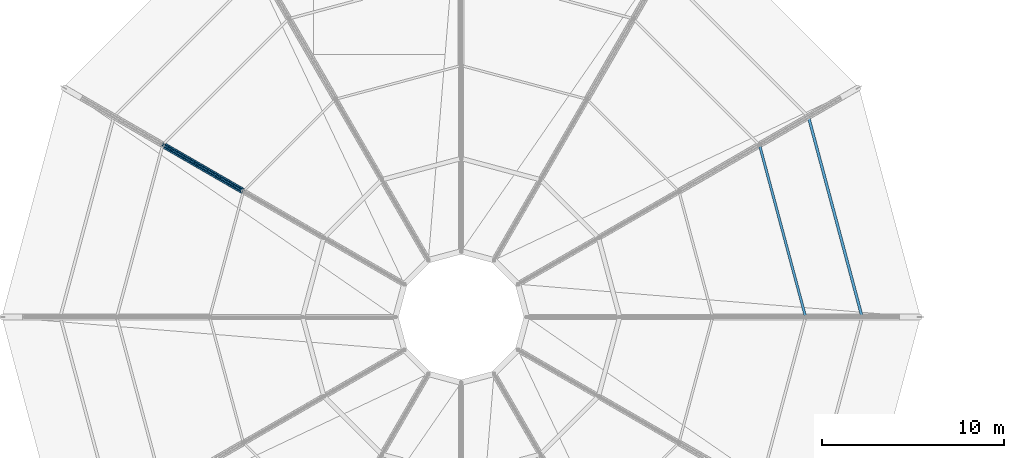
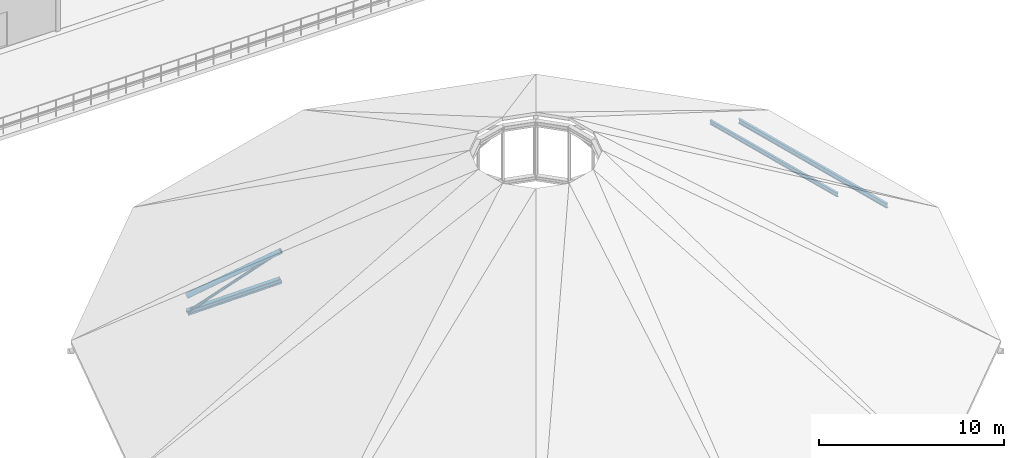
# One storey, part 22 of 58: 5 members.
"""IFC4 building model written with IfcOpenShell, lengths in metres."""

from ifc_helpers import new_model, si_unit, derived_unit, direction, frame, origin, origin_2d, place, context, subcontext, project, spatial, hollow_circle, i_section, extrude, material, material_profile, profile_set, type_object, element, save


model = new_model("IFC4")

# Units and contexts
model_context = context("Model", 3, precision=1e-05, world=origin(), true_north=direction((0.0, 1.0)))
body_context = subcontext(model_context, "Body", "Model", "MODEL_VIEW")
ifc_project = project(units=[si_unit("LENGTHUNIT", "METRE"), si_unit("AREAUNIT", "SQUARE_METRE"), si_unit("VOLUMEUNIT", "CUBIC_METRE"), si_unit("PLANEANGLEUNIT", "RADIAN"), si_unit("MASSUNIT", "GRAM", prefix="KILO"), derived_unit("THERMALTRANSMITTANCEUNIT", [(si_unit("POWERUNIT", "WATT"), 1), (si_unit("AREAUNIT", "SQUARE_METRE"), -1), (si_unit("THERMODYNAMICTEMPERATUREUNIT", "KELVIN"), -1)])], contexts=[model_context])

# Site, building, storey
site_placement = place(None, origin())
site = spatial("IfcSite", under=ifc_project, at=site_placement, CompositionType="ELEMENT")
building_placement = place(site_placement, origin())
building = spatial("IfcBuilding", under=site, at=building_placement, Name="Yasenodar Specialist Clinic", CompositionType="ELEMENT")
storey_placement = place(building_placement, frame((0.0, 0.0, 21.300048828125)))
storey = spatial("IfcBuildingStorey", under=building, at=storey_placement, Name="L05", CompositionType="ELEMENT", Elevation=21.300048828125)

# Members
ifc_material = material(Name="Steel S355", Category="steel")
ifc_material_profile_1 = material_profile(ifc_material, i_section(OverallWidth=0.135009765625, OverallDepth=0.27001953125, WebThickness=0.006591796875, FlangeThickness=0.01025390625, FilletRadius=0.014892578125, at=origin_2d()), Name="IPE 270")
ifc_profile_set_1 = profile_set([ifc_material_profile_1], Name="Steel S355")
member_type_1 = type_object("IfcMemberType", Name="PR-IPE270", PredefinedType="PURLIN", material=ifc_profile_set_1)
member_1_placement = place(storey_placement, frame((99.89990234375, 58.800048828125, 3.034912109375), z_axis=(-0.258807184805, 0.965929004168, 0.0), x_axis=(-0.965929004168, -0.258807184805, 0.0)))
element("IfcMember", 1, at=member_1_placement, inside=storey, type_object=member_type_1, Name="Drum Roof Concentric Purlin 2.01", PredefinedType="PURLIN", context=body_context, shape_type="SweptSolid", body=[
    extrude(i_section(OverallWidth=0.135009765625, OverallDepth=0.27001953125, WebThickness=0.006591796875, FlangeThickness=0.01025390625, FilletRadius=0.014892578125, at=origin_2d()), origin(), (0.0, 0.0, 1.0), 9.783203125),
])
ifc_material_profile_2 = material_profile(ifc_material, i_section(OverallWidth=0.14990234375, OverallDepth=0.300048828125, WebThickness=0.007080078125, FlangeThickness=0.0107421875, FilletRadius=0.014892578125, at=origin_2d()), Name="IPE 300")
ifc_profile_set_2 = profile_set([ifc_material_profile_2], Name="Steel S355")
member_type_2 = type_object("IfcMemberType", Name="PR-IPE300", PredefinedType="PURLIN", material=ifc_profile_set_2)
member_2_placement = place(storey_placement, frame((103.0, 58.800048828125, 1.2265625), z_axis=(-0.258824669437, 0.965924319236, 0.0), x_axis=(-0.965924319236, -0.258824669437, 0.0)))
element("IfcMember", 2, at=member_2_placement, inside=storey, type_object=member_type_2, Name="Drum Roof Concentric Purlin 1.01", PredefinedType="PURLIN", context=body_context, shape_type="SweptSolid", body=[
    extrude(i_section(OverallWidth=0.14990234375, OverallDepth=0.300048828125, WebThickness=0.007080078125, FlangeThickness=0.0107421875, FilletRadius=0.014892578125, at=origin_2d()), origin(), (0.0, 0.0, 1.0), 11.387939453125),
])
ifc_material_profile_3 = material_profile(ifc_material, hollow_circle(Radius=0.084228515625, WallThickness=0.008056640625, at=origin_2d()), Name="CHS 168.3x8")
ifc_profile_set_3 = profile_set([ifc_material_profile_3], Name="Steel S355")
member_type_3 = type_object("IfcMemberType", Name="TR-BRC-CHS168", PredefinedType="BRACE", material=ifc_profile_set_3)
member_3_placement = place(storey_placement, frame((64.632080078125, 68.25, 1.887451171875), z_axis=(0.677384124883, -0.391093758466, 0.623054106354), x_axis=(0.500005610874, 0.86602216432, 0.0)))
element("IfcMember", 3, at=member_3_placement, inside=storey, type_object=member_type_3, Name="Drum Roof Truss 06 Web Diagonal 2", PredefinedType="BRACE", context=body_context, shape_type="SweptSolid", body=[
    extrude(hollow_circle(Radius=0.084228515625, WallThickness=0.008056640625, at=origin_2d()), origin(), (0.0, 0.0, 1.0), 6.520263671875),
])
ifc_material_profile_4 = material_profile(ifc_material, hollow_circle(Radius=0.161865234375, WallThickness=0.01611328125, at=origin_2d()), Name="CHS 323.9x16")
ifc_profile_set_4 = profile_set([ifc_material_profile_4], Name="Steel S355")
member_type_4 = type_object("IfcMemberType", Name="TR-CHD-CHS324", PredefinedType="CHORD", material=ifc_profile_set_4)
member_4_placement = place(storey_placement, frame((64.632080078125, 68.25, 2.974853515625), z_axis=(0.748046944425, -0.431891566774, 0.50388038609), x_axis=(0.500005610874, 0.86602216432, 0.0)))
element("IfcMember", 4, at=member_4_placement, inside=storey, type_object=member_type_4, Name="Drum Roof Truss 06 Top Chord 2", PredefinedType="CHORD", context=body_context, shape_type="SweptSolid", body=[
    extrude(hollow_circle(Radius=0.161865234375, WallThickness=0.01611328125, at=origin_2d()), origin(), (0.0, 0.0, 1.0), 5.904296875),
])
ifc_material_profile_5 = material_profile(ifc_material, i_section(OverallWidth=0.300048828125, OverallDepth=0.300048828125, WebThickness=0.010986328125, FlangeThickness=0.01904296875, FilletRadius=0.027099609375, at=origin_2d()), Name="HEB 300")
ifc_profile_set_5 = profile_set([ifc_material_profile_5], Name="Steel S355")
member_type_5 = type_object("IfcMemberType", Name="TR-CHD-HEB300", PredefinedType="CHORD", material=ifc_profile_set_5)
member_5_placement = place(storey_placement, frame((64.632080078125, 68.25, 1.887451171875), z_axis=(0.798711994016, -0.461143484467, 0.38653051283), x_axis=(0.500005610874, 0.86602216432, 0.0)))
element("IfcMember", 5, at=member_5_placement, inside=storey, type_object=member_type_5, Name="Drum Roof Truss 06 Bottom Chord 2", PredefinedType="CHORD", context=body_context, shape_type="SweptSolid", body=[
    extrude(i_section(OverallWidth=0.300048828125, OverallDepth=0.300048828125, WebThickness=0.010986328125, FlangeThickness=0.01904296875, FilletRadius=0.027099609375, at=origin_2d()), origin(), (0.0, 0.0, 1.0), 5.52978515625),
])

save(model, "model.ifc")
